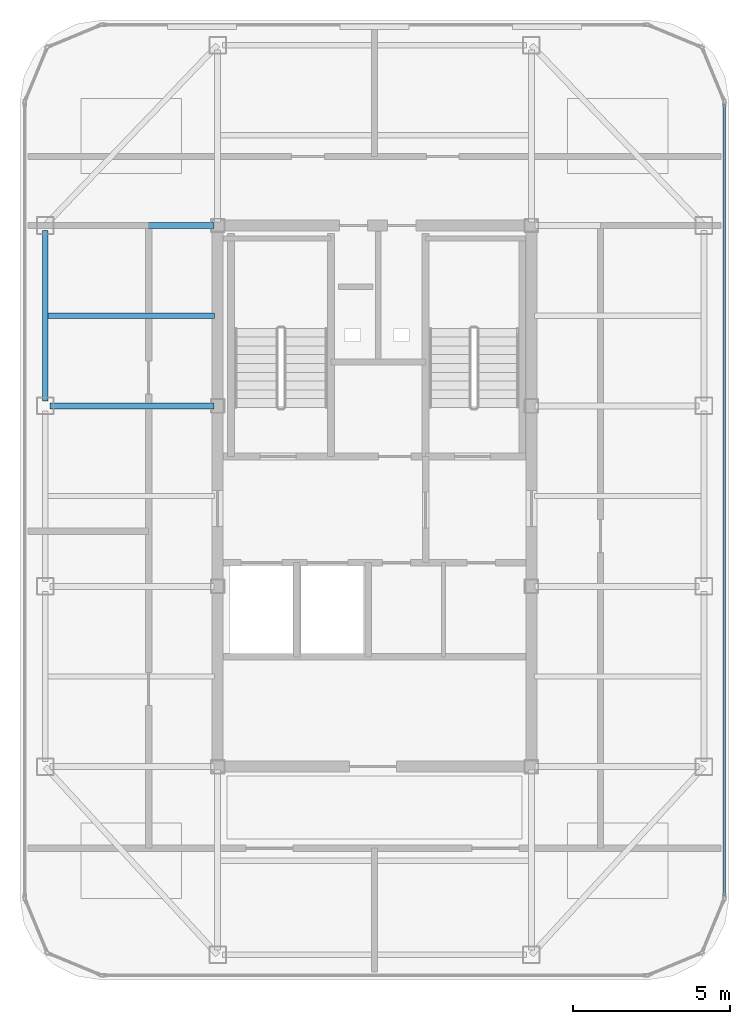
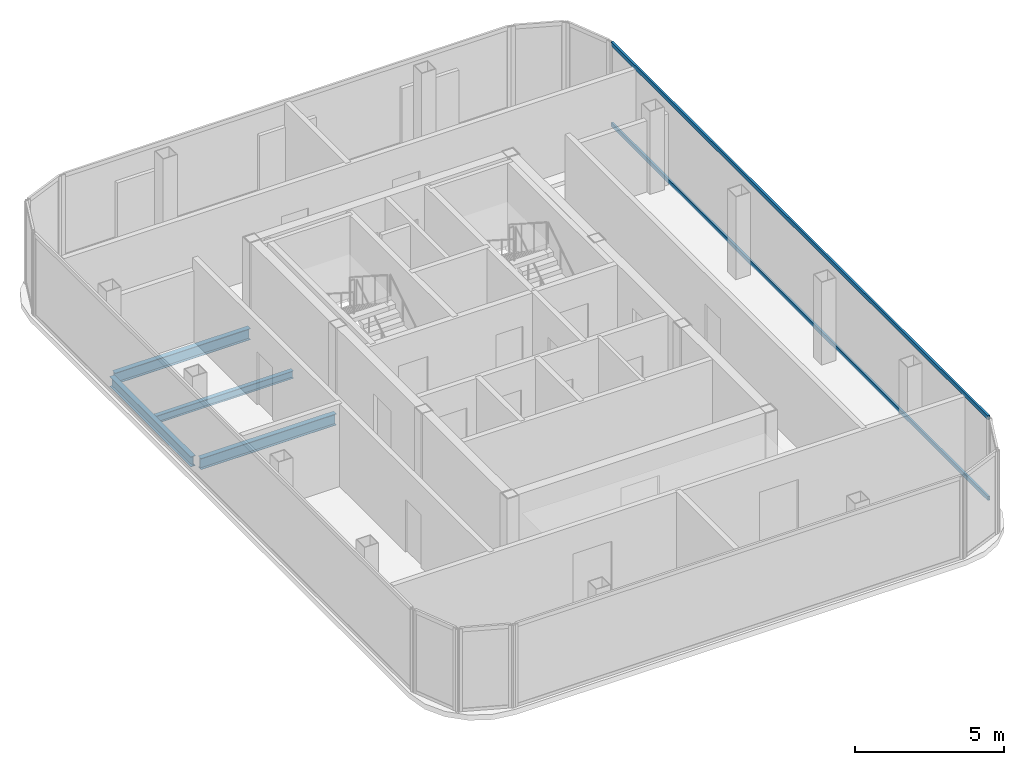
# One storey, part 5 of 11: 4 beams, 2 members, 1 element without a shape of its own.
"""IFC4 building model written with IfcOpenShell, lengths in metres."""

from ifc_helpers import new_model, si_unit, direction, frame, origin, origin_2d, place, context, subcontext, project, spatial, hollow_rectangle, i_section, extrude, source, transform, mapped, material, layer, layer_set, material_profile, profile_set, type_object, element, aggregate, save


model = new_model("IFC4")

# Units and contexts
model_context = context("Model", 3, precision=1e-05, world=origin(), true_north=direction((0.0, 1.0)))
body_context = subcontext(model_context, "Body", "Model", "MODEL_VIEW")
ifc_project = project(units=[si_unit("LENGTHUNIT", "METRE"), si_unit("AREAUNIT", "SQUARE_METRE"), si_unit("VOLUMEUNIT", "CUBIC_METRE"), si_unit("PLANEANGLEUNIT", "RADIAN"), si_unit("MASSUNIT", "GRAM", prefix="KILO")], contexts=[model_context])

# Site, building, storey
site_placement = place(None, origin())
site = spatial("IfcSite", under=ifc_project, at=site_placement, CompositionType="ELEMENT")
building_placement = place(site_placement, origin())
building = spatial("IfcBuilding", under=site, at=building_placement, Name="Kolveth Station Tower", CompositionType="ELEMENT")
storey_placement = place(building_placement, frame((0.0, 0.0, 289.300048828125)))
storey = spatial("IfcBuildingStorey", under=building, at=storey_placement, Name="L83", CompositionType="ELEMENT", Elevation=289.300048828125)

# Beams
ifc_material_1 = material(Name="Steel S355", Category="steel")
ifc_material_profile_1 = material_profile(ifc_material_1, i_section(OverallWidth=0.180908203125, OverallDepth=0.4169921875, WebThickness=0.010986328125, FlangeThickness=0.018310546875, at=origin_2d()), Name="W410x85")
ifc_profile_set_1 = profile_set([ifc_material_profile_1], Name="Steel S355")
beam_type_1 = type_object("IfcBeamType", Name="Beam_B8", PredefinedType="BEAM", material=ifc_profile_set_1)
shared_shape_1 = source(origin(), body_context, "Body", "SweptSolid", [
    extrude(i_section(OverallWidth=0.180908203125, OverallDepth=0.4169921875, WebThickness=0.010986328125, FlangeThickness=0.018310546875, at=origin_2d()), origin(), (0.0, 0.0, 1.0), 5.43017578125),
])
beam_1_placement = place(storey_placement, frame((13.0, 23.159912109375, -0.428466796875), z_axis=(0.0, 1.0, 0.0), x_axis=(-1.0, 0.0, 0.0)))
element("IfcBeam", 1, at=beam_1_placement, inside=storey, type_object=beam_type_1, Name="L83 Perimeter Spandrel BM-L83-PW-3", PredefinedType="BEAM", context=body_context, shape_type="MappedRepresentation", body=[
    mapped(shared_shape_1, transform((0.0, 0.0, 0.0), x_axis=(1.0, 0.0, 0.0), y_axis=(0.0, 1.0, 0.0), z_axis=(0.0, 0.0, 1.0), scale=1.0)),
])
ifc_material_profile_2 = material_profile(ifc_material_1, i_section(OverallWidth=0.19091796875, OverallDepth=0.4599609375, WebThickness=0.010009765625, FlangeThickness=0.01611328125, at=origin_2d()), Name="W460x82")
ifc_profile_set_2 = profile_set([ifc_material_profile_2], Name="Steel S355")
beam_type_2 = type_object("IfcBeamType", Name="Beam_B7", PredefinedType="BEAM", material=ifc_profile_set_2)
shared_shape_2 = source(origin(), body_context, "Body", "SweptSolid", [
    extrude(i_section(OverallWidth=0.19091796875, OverallDepth=0.4599609375, WebThickness=0.010009765625, FlangeThickness=0.01611328125, at=origin_2d()), origin(), (0.0, 0.0, 1.0), 5.22998046875),
])
for number, where, z_axis, x_axis, name in (
    (2, (13.159912109375, 23.0, -0.449951171875), (1.0, 0.0, 0.0), (0.0, 1.0, 0.0), "L83 Primary Girder BM-L83-GY230-1"),
    (3, (13.159912109375, 28.75, -0.449951171875), (1.0, 0.0, 0.0), (0.0, 1.0, 0.0), "L83 Primary Girder BM-L83-GY287-1"),
):
    element("IfcBeam", number, at=place(storey_placement, frame(where, z_axis=z_axis, x_axis=x_axis)), inside=storey, type_object=beam_type_2, Name=name, PredefinedType="BEAM", context=body_context, shape_type="MappedRepresentation", body=[
        mapped(shared_shape_2, transform((0.0, 0.0, 0.0), x_axis=(1.0, 0.0, 0.0), y_axis=(0.0, 1.0, 0.0), z_axis=(0.0, 0.0, 1.0), scale=1.0)),
    ])
ifc_material_profile_3 = material_profile(ifc_material_1, i_section(OverallWidth=0.1650390625, OverallDepth=0.31005859375, WebThickness=0.005859375, FlangeThickness=0.009765625, at=origin_2d()), Name="W310x39")
ifc_profile_set_3 = profile_set([ifc_material_profile_3], Name="Steel S355")
beam_type_3 = type_object("IfcBeamType", Name="Beam_J3", PredefinedType="JOIST", material=ifc_profile_set_3)
shared_shape_3 = source(origin(), body_context, "Body", "SweptSolid", [
    extrude(i_section(OverallWidth=0.1650390625, OverallDepth=0.31005859375, WebThickness=0.005859375, FlangeThickness=0.009765625, at=origin_2d()), origin(), (0.0, 0.0, 1.0), 5.318115234375),
])
beam_2_placement = place(storey_placement, frame((13.08837890625, 25.875, -0.375), z_axis=(1.0, 0.0, 0.0), x_axis=(0.0, 1.0, 0.0)))
element("IfcBeam", 4, at=beam_2_placement, inside=storey, type_object=beam_type_3, Name="L83 Secondary Joist JST-L83-1-4", PredefinedType="JOIST", context=body_context, shape_type="MappedRepresentation", body=[
    mapped(shared_shape_3, transform((0.0, 0.0, 0.0), x_axis=(1.0, 0.0, 0.0), y_axis=(0.0, 1.0, 0.0), z_axis=(0.0, 0.0, 1.0), scale=1.0)),
])

# Curtain wall, members
ifc_material_2 = material(Name="Black anodized aluminium 6063-T6 and dark crown glass", Category="aluminium")
ifc_layer = layer(ifc_material_2, 0.169921875)
ifc_layer_set = layer_set([ifc_layer], Name="Black anodized aluminium 6063-T6 and dark crown glass")
curtain_wall_type = type_object("IfcCurtainWallType", Name="CurtainWall_CW-CR", PredefinedType="NOTDEFINED", material=ifc_layer_set)
curtain_wall_placement = place(storey_placement, origin())
curtain_wall = element("IfcCurtainWall", 5, at=curtain_wall_placement, inside=storey, type_object=curtain_wall_type, Name="L83 Stepped Crown Curtain Wall 3", PredefinedType="NOTDEFINED")
ifc_material_3 = material(Name="Black anodized aluminium 6063-T6", Category="aluminium")
ifc_material_profile_4 = material_profile(ifc_material_3, hollow_rectangle(XDim=0.080078125, YDim=0.1650390625, WallThickness=0.0048828125, at=origin_2d()), Name="ALU-80x165x5")
ifc_profile_set_4 = profile_set([ifc_material_profile_4], Name="Black anodized aluminium 6063-T6")
member_type = type_object("IfcMemberType", Name="Transom_TR-CR", PredefinedType="USERDEFINED", material=ifc_profile_set_4)
shared_shape_4 = source(origin(), body_context, "Body", "SweptSolid", [
    extrude(hollow_rectangle(XDim=0.080078125, YDim=0.1650390625, WallThickness=0.0048828125, at=origin_2d()), origin(), (0.0, 0.0, 1.0), 25.22998046875),
])
member_1_placement = place(storey_placement, frame((34.64990234375, 7.385009765625, 0.0400390625), z_axis=(0.0, 1.0, 0.0), x_axis=(-1.0, 0.0, 0.0)))
member_1 = element("IfcMember", 6, at=member_1_placement, type_object=member_type, Name="CW-CR transom 1.1", ObjectType="TRANSOM", PredefinedType="USERDEFINED", context=body_context, shape_type="MappedRepresentation", body=[
    mapped(shared_shape_4, transform((0.0, 0.0, 0.0), x_axis=(1.0, 0.0, 0.0), y_axis=(0.0, 1.0, 0.0), z_axis=(0.0, 0.0, 1.0), scale=1.0)),
])
member_2_placement = place(storey_placement, frame((34.64990234375, 7.385009765625, 3.33984375), z_axis=(0.0, 1.0, 0.0), x_axis=(-1.0, 0.0, 0.0)))
member_2 = element("IfcMember", 7, at=member_2_placement, type_object=member_type, Name="CW-CR transom 1.2", ObjectType="TRANSOM", PredefinedType="USERDEFINED", context=body_context, shape_type="MappedRepresentation", body=[
    mapped(shared_shape_4, transform((0.0, 0.0, 0.0), x_axis=(1.0, 0.0, 0.0), y_axis=(0.0, 1.0, 0.0), z_axis=(0.0, 0.0, 1.0), scale=1.0)),
])
aggregate(curtain_wall, [member_1, member_2])

save(model, "model.ifc")
